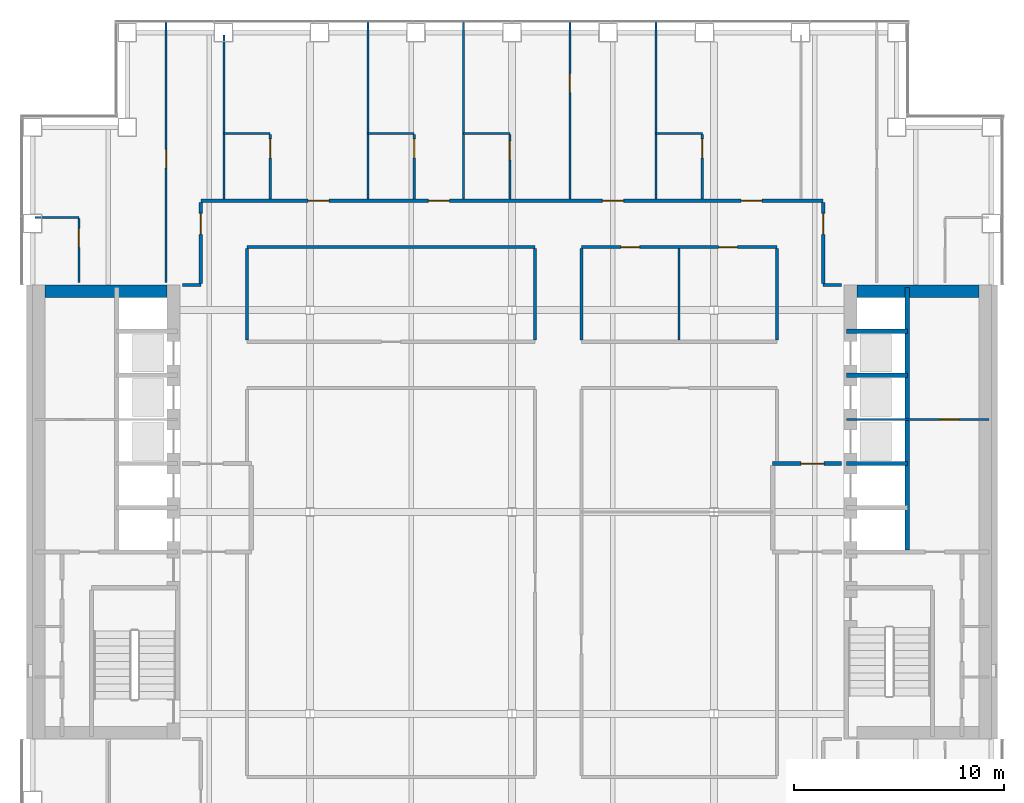
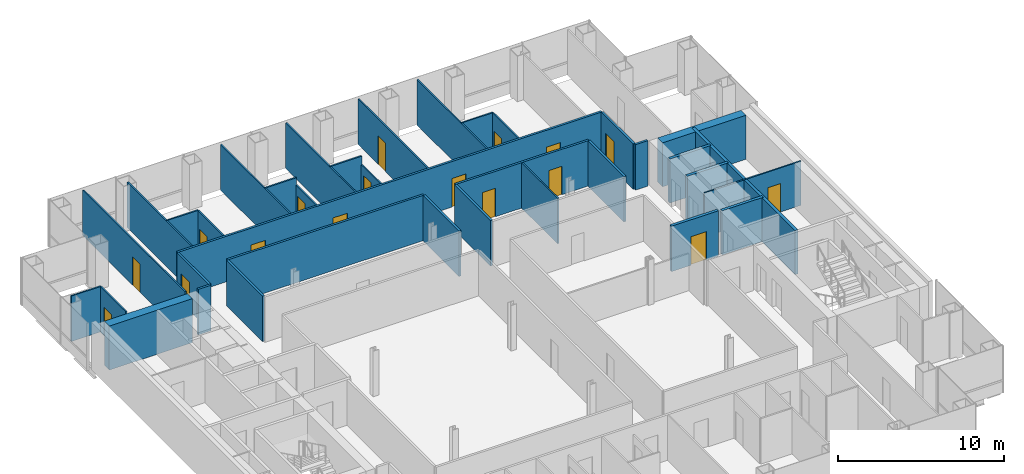
# One storey, part 13 of 16: 37 walls, 17 doors, 17 openings.
"""IFC4 building model written with IfcOpenShell, lengths in metres."""

from ifc_helpers import new_model, si_unit, direction, frame, frame_2d, origin, place, context, subcontext, project, spatial, rectangle, extrude, material, layer, layer_set, type_object, element, fill, save


model = new_model("IFC4")

# Units and contexts
model_context = context("Model", 3, precision=1e-05, world=origin(), true_north=direction((0.0, 1.0)))
body_context = subcontext(model_context, "Body", "Model", "MODEL_VIEW")
ifc_project = project(units=[si_unit("LENGTHUNIT", "METRE"), si_unit("AREAUNIT", "SQUARE_METRE"), si_unit("VOLUMEUNIT", "CUBIC_METRE"), si_unit("PLANEANGLEUNIT", "RADIAN"), si_unit("MASSUNIT", "GRAM", prefix="KILO")], contexts=[model_context])

# Site, building, storey
site_placement = place(None, origin())
site = spatial("IfcSite", under=ifc_project, at=site_placement, CompositionType="ELEMENT")
building_placement = place(site_placement, origin())
building = spatial("IfcBuilding", under=site, at=building_placement, Name="Cobrizo Arcos Hotel Tower", CompositionType="ELEMENT")
storey_placement = place(building_placement, frame((0.0, 0.0, 92.5)))
storey = spatial("IfcBuildingStorey", under=building, at=storey_placement, Name="L22", CompositionType="ELEMENT", Elevation=92.5)

# Walls
ifc_material_1 = material(Name="Gypsum board partition")
ifc_layer_1 = layer(ifc_material_1, 0.14990234375)
ifc_layer_set_1 = layer_set([ifc_layer_1], Name="Corridor wall EI 60 150")
wall_type_1 = type_object("IfcWallType", Name="Corridor wall EI 60 150", PredefinedType="PARTITIONING", material=ifc_layer_set_1)
for number, where, z_axis, x_axis, name in (
    (1, (-15.679931640625, 10.800048828125, 0.0), (0.0, 0.0, 1.0), (1.0, 0.0, 0.0), "Partition 041"),
    (2, (14.800048828125, 10.800048828125, 0.0), (0.0, 0.0, 1.0), (1.0, 0.0, 0.0), "Partition 042"),
):
    element("IfcWall", number, at=place(storey_placement, frame(where, z_axis=z_axis, x_axis=x_axis)), inside=storey, type_object=wall_type_1, Name=name, PredefinedType="PARTITIONING", context=body_context, shape_type="SweptSolid", body=[
        extrude(rectangle(XDim=0.8798828125, YDim=0.14990234375, at=frame_2d((0.43994140625, 0.0))), origin(), (0.0, 0.0, 1.0), 3.35009765625),
    ])
wall_1_placement = place(storey_placement, frame((-12.60009765625, 12.60009765625, 0.0), z_axis=(0.0, 0.0, 1.0), x_axis=(1.0, 0.0, 0.0)))
element("IfcWall", 3, at=wall_1_placement, inside=storey, type_object=wall_type_1, Name="Partition 043", PredefinedType="PARTITIONING", context=body_context, shape_type="SweptSolid", body=[
    extrude(rectangle(XDim=13.7001953125, YDim=0.14990234375, at=frame_2d((6.85009765625, 0.0))), origin(), (0.0, 0.0, 1.0), 3.35009765625),
])

# Wall, openings, doors
wall_2_placement = place(storey_placement, frame((3.300048828125, 12.60009765625, 0.0), z_axis=(0.0, 0.0, 1.0), x_axis=(1.0, 0.0, 0.0)))
wall_2 = element("IfcWall", 4, at=wall_2_placement, inside=storey, type_object=wall_type_1, Name="Partition 044", PredefinedType="PARTITIONING", context=body_context, shape_type="SweptSolid", body=[
    extrude(rectangle(XDim=9.300048828125, YDim=0.14990234375, at=frame_2d((4.64990234375, 0.0))), origin(), (0.0, 0.0, 1.0), 3.35009765625),
])
opening_1_placement = place(wall_2_placement, frame((1.875, 0.0, 0.0)))
opening_1 = element("IfcOpeningElement", 5, at=opening_1_placement, cuts=wall_2, Name="Opening ED-14", PredefinedType="OPENING", context=body_context, shape_type="SweptSolid", body=[
    extrude(rectangle(XDim=0.89990234375, YDim=2.10009765625, at=frame_2d((0.449951171875, 1.050048828125))), frame((0.0, 0.0869140625, 0.0), z_axis=(0.0, -1.0, 0.0), x_axis=(1.0, 0.0, 0.0)), (0.0, 0.0, 1.0), 0.173828125),
])
opening_2_placement = place(wall_2_placement, frame((6.52490234375, 0.0, 0.0)))
opening_2 = element("IfcOpeningElement", 6, at=opening_2_placement, cuts=wall_2, Name="Opening ED-15", PredefinedType="OPENING", context=body_context, shape_type="SweptSolid", body=[
    extrude(rectangle(XDim=0.89990234375, YDim=2.10009765625, at=frame_2d((0.449951171875, 1.050048828125))), frame((0.0, 0.0869140625, 0.0), z_axis=(0.0, -1.0, 0.0), x_axis=(1.0, 0.0, 0.0)), (0.0, 0.0, 1.0), 0.173828125),
])
ifc_material_2 = material(Name="Timber door leaf", Category="wood")
door_type_1 = type_object("IfcDoorType", Name="En-suite door 900x2100", OperationType="SINGLE_SWING_LEFT", PredefinedType="DOOR", material=ifc_material_2)
door_1_placement = place(opening_1_placement, origin())
door_1 = element("IfcDoor", 7, at=door_1_placement, inside=storey, type_object=door_type_1, Name="Door ED-14", OperationType="SINGLE_SWING_LEFT", OverallHeight=2.10009765625, OverallWidth=0.89990234375, PredefinedType="DOOR", context=body_context, shape_type="SweptSolid", body=[
    extrude(rectangle(XDim=0.89990234375, YDim=2.10009765625, at=frame_2d((0.449951171875, 1.050048828125))), frame((0.0, 0.02490234375, 0.0), z_axis=(0.0, -1.0, 0.0), x_axis=(1.0, 0.0, 0.0)), (0.0, 0.0, 1.0), 0.050048828125),
])
fill(opening_1, door_1)
door_2_placement = place(opening_2_placement, origin())
door_2 = element("IfcDoor", 8, at=door_2_placement, inside=storey, type_object=door_type_1, Name="Door ED-15", OperationType="SINGLE_SWING_RIGHT", OverallHeight=2.10009765625, OverallWidth=0.89990234375, PredefinedType="DOOR", context=body_context, shape_type="SweptSolid", body=[
    extrude(rectangle(XDim=0.89990234375, YDim=2.10009765625, at=frame_2d((0.449951171875, 1.050048828125))), frame((0.0, 0.02490234375, 0.0), z_axis=(0.0, -1.0, 0.0), x_axis=(1.0, 0.0, 0.0)), (0.0, 0.0, 1.0), 0.050048828125),
])
fill(opening_2, door_2)

wall_3_placement = place(storey_placement, frame((-14.800048828125, 14.800048828125, 0.0), z_axis=(0.0, 0.0, 1.0), x_axis=(1.0, 0.0, 0.0)))
wall_3 = element("IfcWall", 9, at=wall_3_placement, inside=storey, type_object=wall_type_1, Name="Partition 047", PredefinedType="PARTITIONING", context=body_context, shape_type="SweptSolid", body=[
    extrude(rectangle(XDim=29.60009765625, YDim=0.14990234375, at=frame_2d((14.800048828125, 0.0))), origin(), (0.0, 0.0, 1.0), 3.35009765625),
])
opening_3_placement = place(wall_3_placement, frame((5.10693359375, 0.0, 0.0)))
opening_3 = element("IfcOpeningElement", 10, at=opening_3_placement, cuts=wall_3, Name="Opening GD-01", PredefinedType="OPENING", context=body_context, shape_type="SweptSolid", body=[
    extrude(rectangle(XDim=1.0, YDim=2.10009765625, at=frame_2d((0.5, 1.050048828125))), frame((0.0, 0.0869140625, 0.0), z_axis=(0.0, -1.0, 0.0), x_axis=(1.0, 0.0, 0.0)), (0.0, 0.0, 1.0), 0.173828125),
])
opening_4_placement = place(wall_3_placement, frame((10.825927734375, 0.0, 0.0)))
opening_4 = element("IfcOpeningElement", 11, at=opening_4_placement, cuts=wall_3, Name="Opening GD-02", PredefinedType="OPENING", context=body_context, shape_type="SweptSolid", body=[
    extrude(rectangle(XDim=1.0, YDim=2.10009765625, at=frame_2d((0.5, 1.050048828125))), frame((0.0, 0.0869140625, 0.0), z_axis=(0.0, -1.0, 0.0), x_axis=(1.0, 0.0, 0.0)), (0.0, 0.0, 1.0), 0.173828125),
])
opening_5_placement = place(wall_3_placement, frame((19.10400390625, 0.0, 0.0)))
opening_5 = element("IfcOpeningElement", 12, at=opening_5_placement, cuts=wall_3, Name="Opening GD-03", PredefinedType="OPENING", context=body_context, shape_type="SweptSolid", body=[
    extrude(rectangle(XDim=1.0, YDim=2.10009765625, at=frame_2d((0.5, 1.050048828125))), frame((0.0, 0.0869140625, 0.0), z_axis=(0.0, -1.0, 0.0), x_axis=(1.0, 0.0, 0.0)), (0.0, 0.0, 1.0), 0.173828125),
])
opening_6_placement = place(wall_3_placement, frame((25.694091796875, 0.0, 0.0)))
opening_6 = element("IfcOpeningElement", 13, at=opening_6_placement, cuts=wall_3, Name="Opening GD-04", PredefinedType="OPENING", context=body_context, shape_type="SweptSolid", body=[
    extrude(rectangle(XDim=1.0, YDim=2.10009765625, at=frame_2d((0.5, 1.050048828125))), frame((0.0, 0.0869140625, 0.0), z_axis=(0.0, -1.0, 0.0), x_axis=(1.0, 0.0, 0.0)), (0.0, 0.0, 1.0), 0.173828125),
])
door_type_2 = type_object("IfcDoorType", Name="Guest room door FD30S 1000x2100", OperationType="SINGLE_SWING_LEFT", PredefinedType="DOOR", material=ifc_material_2)
door_3_placement = place(opening_3_placement, origin())
door_3 = element("IfcDoor", 14, at=door_3_placement, inside=storey, type_object=door_type_2, Name="Door GD-01", OperationType="SINGLE_SWING_LEFT", OverallHeight=2.10009765625, OverallWidth=1.0, PredefinedType="DOOR", context=body_context, shape_type="SweptSolid", body=[
    extrude(rectangle(XDim=1.0, YDim=2.10009765625, at=frame_2d((0.5, 1.050048828125))), frame((0.0, 0.02490234375, 0.0), z_axis=(0.0, -1.0, 0.0), x_axis=(1.0, 0.0, 0.0)), (0.0, 0.0, 1.0), 0.050048828125),
])
fill(opening_3, door_3)
door_4_placement = place(opening_4_placement, origin())
door_4 = element("IfcDoor", 15, at=door_4_placement, inside=storey, type_object=door_type_2, Name="Door GD-02", OperationType="SINGLE_SWING_LEFT", OverallHeight=2.10009765625, OverallWidth=1.0, PredefinedType="DOOR", context=body_context, shape_type="SweptSolid", body=[
    extrude(rectangle(XDim=1.0, YDim=2.10009765625, at=frame_2d((0.5, 1.050048828125))), frame((0.0, 0.02490234375, 0.0), z_axis=(0.0, -1.0, 0.0), x_axis=(1.0, 0.0, 0.0)), (0.0, 0.0, 1.0), 0.050048828125),
])
fill(opening_4, door_4)
door_5_placement = place(opening_5_placement, origin())
door_5 = element("IfcDoor", 16, at=door_5_placement, inside=storey, type_object=door_type_2, Name="Door GD-03", OperationType="SINGLE_SWING_LEFT", OverallHeight=2.10009765625, OverallWidth=1.0, PredefinedType="DOOR", context=body_context, shape_type="SweptSolid", body=[
    extrude(rectangle(XDim=1.0, YDim=2.10009765625, at=frame_2d((0.5, 1.050048828125))), frame((0.0, 0.02490234375, 0.0), z_axis=(0.0, -1.0, 0.0), x_axis=(1.0, 0.0, 0.0)), (0.0, 0.0, 1.0), 0.050048828125),
])
fill(opening_5, door_5)
door_6_placement = place(opening_6_placement, origin())
door_6 = element("IfcDoor", 17, at=door_6_placement, inside=storey, type_object=door_type_2, Name="Door GD-04", OperationType="SINGLE_SWING_LEFT", OverallHeight=2.10009765625, OverallWidth=1.0, PredefinedType="DOOR", context=body_context, shape_type="SweptSolid", body=[
    extrude(rectangle(XDim=1.0, YDim=2.10009765625, at=frame_2d((0.5, 1.050048828125))), frame((0.0, 0.02490234375, 0.0), z_axis=(0.0, -1.0, 0.0), x_axis=(1.0, 0.0, 0.0)), (0.0, 0.0, 1.0), 0.050048828125),
])
fill(opening_6, door_6)

# Wall, opening, door
wall_4_placement = place(storey_placement, frame((-14.800048828125, 10.875, 0.0), z_axis=(0.0, 0.0, 1.0), x_axis=(0.0, 1.0, 0.0)))
wall_4 = element("IfcWall", 18, at=wall_4_placement, inside=storey, type_object=wall_type_1, Name="Partition 061", PredefinedType="PARTITIONING", context=body_context, shape_type="SweptSolid", body=[
    extrude(rectangle(XDim=3.85009765625, YDim=0.14990234375, at=frame_2d((1.925048828125, 0.0))), origin(), (0.0, 0.0, 1.0), 3.35009765625),
])
opening_7_placement = place(wall_4_placement, frame((2.324951171875, 0.0, 0.0)))
opening_7 = element("IfcOpeningElement", 19, at=opening_7_placement, cuts=wall_4, Name="Opening GD-11", PredefinedType="OPENING", context=body_context, shape_type="SweptSolid", body=[
    extrude(rectangle(XDim=1.0, YDim=2.10009765625, at=frame_2d((0.5, 1.050048828125))), frame((0.0, 0.0869140625, 0.0), z_axis=(0.0, -1.0, 0.0), x_axis=(1.0, 0.0, 0.0)), (0.0, 0.0, 1.0), 0.173828125),
])
door_7_placement = place(opening_7_placement, origin())
door_7 = element("IfcDoor", 20, at=door_7_placement, inside=storey, type_object=door_type_2, Name="Door GD-11", OperationType="SINGLE_SWING_LEFT", OverallHeight=2.10009765625, OverallWidth=1.0, PredefinedType="DOOR", context=body_context, shape_type="SweptSolid", body=[
    extrude(rectangle(XDim=1.0, YDim=2.10009765625, at=frame_2d((0.5, 1.050048828125))), frame((0.0, 0.02490234375, 0.0), z_axis=(0.0, -1.0, 0.0), x_axis=(1.0, 0.0, 0.0)), (0.0, 0.0, 1.0), 0.050048828125),
])
fill(opening_7, door_7)

# Walls
for number, where, z_axis, x_axis, name in (
    (21, (-12.60009765625, 8.175048828125, 0.0), (0.0, 0.0, 1.0), (0.0, 1.0, 0.0), "Partition 066"),
    (22, (1.10009765625, 8.175048828125, 0.0), (0.0, 0.0, 1.0), (0.0, 1.0, 0.0), "Partition 080"),
    (23, (3.300048828125, 8.175048828125, 0.0), (0.0, 0.0, 1.0), (0.0, 1.0, 0.0), "Partition 084"),
    (24, (12.60009765625, 8.175048828125, 0.0), (0.0, 0.0, 1.0), (0.0, 1.0, 0.0), "Partition 094"),
):
    element("IfcWall", number, at=place(storey_placement, frame(where, z_axis=z_axis, x_axis=x_axis)), inside=storey, type_object=wall_type_1, Name=name, PredefinedType="PARTITIONING", context=body_context, shape_type="SweptSolid", body=[
        extrude(rectangle(XDim=4.349853515625, YDim=0.14990234375, at=frame_2d((2.1748046875, 0.0))), origin(), (0.0, 0.0, 1.0), 3.35009765625),
    ])

# Wall, opening, door
wall_5_placement = place(storey_placement, frame((14.800048828125, 10.875, 0.0), z_axis=(0.0, 0.0, 1.0), x_axis=(0.0, 1.0, 0.0)))
wall_5 = element("IfcWall", 25, at=wall_5_placement, inside=storey, type_object=wall_type_1, Name="Partition 098", PredefinedType="PARTITIONING", context=body_context, shape_type="SweptSolid", body=[
    extrude(rectangle(XDim=3.85009765625, YDim=0.14990234375, at=frame_2d((1.925048828125, 0.0))), origin(), (0.0, 0.0, 1.0), 3.35009765625),
])
opening_8_placement = place(wall_5_placement, frame((2.324951171875, 0.0, 0.0)))
opening_8 = element("IfcOpeningElement", 26, at=opening_8_placement, cuts=wall_5, Name="Opening GD-13", PredefinedType="OPENING", context=body_context, shape_type="SweptSolid", body=[
    extrude(rectangle(XDim=1.0, YDim=2.10009765625, at=frame_2d((0.5, 1.050048828125))), frame((0.0, 0.0869140625, 0.0), z_axis=(0.0, -1.0, 0.0), x_axis=(1.0, 0.0, 0.0)), (0.0, 0.0, 1.0), 0.173828125),
])
door_8_placement = place(opening_8_placement, origin())
door_8 = element("IfcDoor", 27, at=door_8_placement, inside=storey, type_object=door_type_2, Name="Door GD-13", OperationType="SINGLE_SWING_LEFT", OverallHeight=2.10009765625, OverallWidth=1.0, PredefinedType="DOOR", context=body_context, shape_type="SweptSolid", body=[
    extrude(rectangle(XDim=1.0, YDim=2.10009765625, at=frame_2d((0.5, 1.050048828125))), frame((0.0, 0.02490234375, 0.0), z_axis=(0.0, -1.0, 0.0), x_axis=(1.0, 0.0, 0.0)), (0.0, 0.0, 1.0), 0.050048828125),
])
fill(opening_8, door_8)

ifc_layer_2 = layer(ifc_material_1, 0.10009765625)
ifc_layer_set_2 = layer_set([ifc_layer_2], Name="Partition EI 30 100")
wall_type_2 = type_object("IfcWallType", Name="Partition EI 30 100", PredefinedType="PARTITIONING", material=ifc_layer_set_2)
wall_6_placement = place(storey_placement, frame((15.919921875, 4.39990234375, 0.0), z_axis=(0.0, 0.0, 1.0), x_axis=(1.0, 0.0, 0.0)))
wall_6 = element("IfcWall", 28, at=wall_6_placement, inside=storey, type_object=wall_type_2, Name="Partition 032", PredefinedType="PARTITIONING", context=body_context, shape_type="SweptSolid", body=[
    extrude(rectangle(XDim=6.760009765625, YDim=0.10009765625, at=frame_2d((3.3798828125, 0.0))), origin(), (0.0, 0.0, 1.0), 3.25),
])
opening_9_placement = place(wall_6_placement, frame((4.429931640625, 0.0, 0.0)))
opening_9 = element("IfcOpeningElement", 29, at=opening_9_placement, cuts=wall_6, Name="Opening RD-10", PredefinedType="OPENING", context=body_context, shape_type="SweptSolid", body=[
    extrude(rectangle(XDim=0.89990234375, YDim=2.10009765625, at=frame_2d((0.449951171875, 1.050048828125))), frame((0.0, 0.06201171875, 0.0), z_axis=(0.0, -1.0, 0.0), x_axis=(1.0, 0.0, 0.0)), (0.0, 0.0, 1.0), 0.1240234375),
])
door_type_3 = type_object("IfcDoorType", Name="Room door FD30 900x2100", OperationType="SINGLE_SWING_LEFT", PredefinedType="DOOR", material=ifc_material_2)
door_9_placement = place(opening_9_placement, origin())
door_9 = element("IfcDoor", 30, at=door_9_placement, inside=storey, type_object=door_type_3, Name="Door RD-10", OperationType="SINGLE_SWING_LEFT", OverallHeight=2.10009765625, OverallWidth=0.89990234375, PredefinedType="DOOR", context=body_context, shape_type="SweptSolid", body=[
    extrude(rectangle(XDim=0.89990234375, YDim=2.10009765625, at=frame_2d((0.449951171875, 1.050048828125))), frame((0.0, 0.02490234375, 0.0), z_axis=(0.0, -1.0, 0.0), x_axis=(1.0, 0.0, 0.0)), (0.0, 0.0, 1.0), 0.050048828125),
])
fill(opening_9, door_9)

# Walls
wall_7_placement = place(storey_placement, frame((-22.679931640625, 14.0, 0.0), z_axis=(0.0, 0.0, 1.0), x_axis=(1.0, 0.0, 0.0)))
element("IfcWall", 31, at=wall_7_placement, inside=storey, type_object=wall_type_2, Name="Partition 045", PredefinedType="PARTITIONING", context=body_context, shape_type="SweptSolid", body=[
    extrude(rectangle(XDim=2.079833984375, YDim=0.10009765625, at=frame_2d((1.0400390625, 0.0))), origin(), (0.0, 0.0, 1.0), 3.35009765625),
])
wall_8_placement = place(storey_placement, frame((-13.699951171875, 18.0, 0.0), z_axis=(0.0, 0.0, 1.0), x_axis=(1.0, 0.0, 0.0)))
element("IfcWall", 32, at=wall_8_placement, inside=storey, type_object=wall_type_2, Name="Partition 048", PredefinedType="PARTITIONING", context=body_context, shape_type="SweptSolid", body=[
    extrude(rectangle(XDim=2.199951171875, YDim=0.10009765625, at=frame_2d((1.10009765625, 0.0))), origin(), (0.0, 0.0, 1.0), 3.35009765625),
])
wall_9_placement = place(storey_placement, frame((-6.85009765625, 18.0, 0.0), z_axis=(0.0, 0.0, 1.0), x_axis=(1.0, 0.0, 0.0)))
element("IfcWall", 33, at=wall_9_placement, inside=storey, type_object=wall_type_2, Name="Partition 049", PredefinedType="PARTITIONING", context=body_context, shape_type="SweptSolid", body=[
    extrude(rectangle(XDim=2.2001953125, YDim=0.10009765625, at=frame_2d((1.10009765625, 0.0))), origin(), (0.0, 0.0, 1.0), 3.35009765625),
])
for number, where, z_axis, x_axis, name in (
    (34, (-2.300048828125, 18.0, 0.0), (0.0, 0.0, 1.0), (1.0, 0.0, 0.0), "Partition 050"),
    (35, (6.85009765625, 18.0, 0.0), (0.0, 0.0, 1.0), (1.0, 0.0, 0.0), "Partition 051"),
):
    element("IfcWall", number, at=place(storey_placement, frame(where, z_axis=z_axis, x_axis=x_axis)), inside=storey, type_object=wall_type_2, Name=name, PredefinedType="PARTITIONING", context=body_context, shape_type="SweptSolid", body=[
        extrude(rectangle(XDim=2.199951171875, YDim=0.10009765625, at=frame_2d((1.10009765625, 0.0))), origin(), (0.0, 0.0, 1.0), 3.35009765625),
    ])

# Wall, opening, door
wall_10_placement = place(storey_placement, frame((-20.60009765625, 10.919921875, 0.0), z_axis=(0.0, 0.0, 1.0), x_axis=(0.0, 1.0, 0.0)))
wall_10 = element("IfcWall", 36, at=wall_10_placement, inside=storey, type_object=wall_type_2, Name="Partition 054", PredefinedType="PARTITIONING", context=body_context, shape_type="SweptSolid", body=[
    extrude(rectangle(XDim=3.030029296875, YDim=0.10009765625, at=frame_2d((1.51513671875, 0.0))), origin(), (0.0, 0.0, 1.0), 3.35009765625),
])
opening_10_placement = place(wall_10_placement, frame((1.669921875, 0.0, 0.0)))
opening_10 = element("IfcOpeningElement", 37, at=opening_10_placement, cuts=wall_10, Name="Opening ED-11", PredefinedType="OPENING", context=body_context, shape_type="SweptSolid", body=[
    extrude(rectangle(XDim=0.89990234375, YDim=2.10009765625, at=frame_2d((0.449951171875, 1.050048828125))), frame((0.0, 0.06201171875, 0.0), z_axis=(0.0, -1.0, 0.0), x_axis=(1.0, 0.0, 0.0)), (0.0, 0.0, 1.0), 0.1240234375),
])
door_10_placement = place(opening_10_placement, origin())
door_10 = element("IfcDoor", 38, at=door_10_placement, inside=storey, type_object=door_type_1, Name="Door ED-11", OperationType="SINGLE_SWING_LEFT", OverallHeight=2.10009765625, OverallWidth=0.89990234375, PredefinedType="DOOR", context=body_context, shape_type="SweptSolid", body=[
    extrude(rectangle(XDim=0.89990234375, YDim=2.10009765625, at=frame_2d((0.449951171875, 1.050048828125))), frame((0.0, 0.02490234375, 0.0), z_axis=(0.0, -1.0, 0.0), x_axis=(1.0, 0.0, 0.0)), (0.0, 0.0, 1.0), 0.050048828125),
])
fill(opening_10, door_10)

wall_11_placement = place(storey_placement, frame((-16.449951171875, 10.919921875, 0.0), z_axis=(0.0, 0.0, 1.0), x_axis=(0.0, 1.0, 0.0)))
wall_11 = element("IfcWall", 39, at=wall_11_placement, inside=storey, type_object=wall_type_2, Name="Partition 059", PredefinedType="PARTITIONING", context=body_context, shape_type="SweptSolid", body=[
    extrude(rectangle(XDim=12.360107421875, YDim=0.10009765625, at=frame_2d((6.18017578125, 0.0))), origin(), (0.0, 0.0, 1.0), 3.35009765625),
])
opening_11_placement = place(wall_11_placement, frame((5.429931640625, 0.0, 0.0)))
opening_11 = element("IfcOpeningElement", 40, at=opening_11_placement, cuts=wall_11, Name="Opening RD-13", PredefinedType="OPENING", context=body_context, shape_type="SweptSolid", body=[
    extrude(rectangle(XDim=0.89990234375, YDim=2.10009765625, at=frame_2d((0.449951171875, 1.050048828125))), frame((0.0, 0.06201171875, 0.0), z_axis=(0.0, -1.0, 0.0), x_axis=(1.0, 0.0, 0.0)), (0.0, 0.0, 1.0), 0.1240234375),
])
door_11_placement = place(opening_11_placement, origin())
door_11 = element("IfcDoor", 41, at=door_11_placement, inside=storey, type_object=door_type_3, Name="Door RD-13", OperationType="SINGLE_SWING_RIGHT", OverallHeight=2.10009765625, OverallWidth=0.89990234375, PredefinedType="DOOR", context=body_context, shape_type="SweptSolid", body=[
    extrude(rectangle(XDim=0.89990234375, YDim=2.10009765625, at=frame_2d((0.449951171875, 1.050048828125))), frame((0.0, 0.02490234375, 0.0), z_axis=(0.0, -1.0, 0.0), x_axis=(1.0, 0.0, 0.0)), (0.0, 0.0, 1.0), 0.050048828125),
])
fill(opening_11, door_11)

# Wall
wall_12_placement = place(storey_placement, frame((-13.699951171875, 14.875, 0.0), z_axis=(0.0, 0.0, 1.0), x_axis=(0.0, 1.0, 0.0)))
element("IfcWall", 42, at=wall_12_placement, inside=storey, type_object=wall_type_2, Name="Partition 063", PredefinedType="PARTITIONING", context=body_context, shape_type="SweptSolid", body=[
    extrude(rectangle(XDim=7.804931640625, YDim=0.10009765625, at=frame_2d((3.90234375, 0.0))), origin(), (0.0, 0.0, 1.0), 3.35009765625),
])

# Wall, opening, door
wall_13_placement = place(storey_placement, frame((-11.5, 14.875, 0.0), z_axis=(0.0, 0.0, 1.0), x_axis=(0.0, 1.0, 0.0)))
wall_13 = element("IfcWall", 43, at=wall_13_placement, inside=storey, type_object=wall_type_2, Name="Partition 068", PredefinedType="PARTITIONING", context=body_context, shape_type="SweptSolid", body=[
    extrude(rectangle(XDim=3.074951171875, YDim=0.10009765625, at=frame_2d((1.53759765625, 0.0))), origin(), (0.0, 0.0, 1.0), 3.35009765625),
])
opening_12_placement = place(wall_13_placement, frame((1.970947265625, 0.0, 0.0)))
opening_12 = element("IfcOpeningElement", 44, at=opening_12_placement, cuts=wall_13, Name="Opening ED-01", PredefinedType="OPENING", context=body_context, shape_type="SweptSolid", body=[
    extrude(rectangle(XDim=0.89990234375, YDim=2.10009765625, at=frame_2d((0.449951171875, 1.050048828125))), frame((0.0, 0.06201171875, 0.0), z_axis=(0.0, -1.0, 0.0), x_axis=(1.0, 0.0, 0.0)), (0.0, 0.0, 1.0), 0.1240234375),
])
door_12_placement = place(opening_12_placement, origin())
door_12 = element("IfcDoor", 45, at=door_12_placement, inside=storey, type_object=door_type_1, Name="Door ED-01", OperationType="SINGLE_SWING_RIGHT", OverallHeight=2.10009765625, OverallWidth=0.89990234375, PredefinedType="DOOR", context=body_context, shape_type="SweptSolid", body=[
    extrude(rectangle(XDim=0.89990234375, YDim=2.10009765625, at=frame_2d((0.449951171875, 1.050048828125))), frame((0.0, 0.02490234375, 0.0), z_axis=(0.0, -1.0, 0.0), x_axis=(1.0, 0.0, 0.0)), (0.0, 0.0, 1.0), 0.050048828125),
])
fill(opening_12, door_12)

# Wall
wall_14_placement = place(storey_placement, frame((-6.85009765625, 14.875, 0.0), z_axis=(0.0, 0.0, 1.0), x_axis=(0.0, 1.0, 0.0)))
element("IfcWall", 46, at=wall_14_placement, inside=storey, type_object=wall_type_2, Name="Partition 072", PredefinedType="PARTITIONING", context=body_context, shape_type="SweptSolid", body=[
    extrude(rectangle(XDim=8.405029296875, YDim=0.10009765625, at=frame_2d((4.20263671875, 0.0))), origin(), (0.0, 0.0, 1.0), 3.35009765625),
])

# Wall, opening, door
wall_15_placement = place(storey_placement, frame((-4.64990234375, 14.875, 0.0), z_axis=(0.0, 0.0, 1.0), x_axis=(0.0, 1.0, 0.0)))
wall_15 = element("IfcWall", 47, at=wall_15_placement, inside=storey, type_object=wall_type_2, Name="Partition 074", PredefinedType="PARTITIONING", context=body_context, shape_type="SweptSolid", body=[
    extrude(rectangle(XDim=3.074951171875, YDim=0.10009765625, at=frame_2d((1.53759765625, 0.0))), origin(), (0.0, 0.0, 1.0), 2.81689453125),
])
opening_13_placement = place(wall_15_placement, frame((1.970947265625, 0.0, 0.0)))
opening_13 = element("IfcOpeningElement", 48, at=opening_13_placement, cuts=wall_15, Name="Opening ED-02", PredefinedType="OPENING", context=body_context, shape_type="SweptSolid", body=[
    extrude(rectangle(XDim=0.89990234375, YDim=2.10009765625, at=frame_2d((0.449951171875, 1.050048828125))), frame((0.0, 0.06201171875, 0.0), z_axis=(0.0, -1.0, 0.0), x_axis=(1.0, 0.0, 0.0)), (0.0, 0.0, 1.0), 0.1240234375),
])
door_13_placement = place(opening_13_placement, origin())
door_13 = element("IfcDoor", 49, at=door_13_placement, inside=storey, type_object=door_type_1, Name="Door ED-02", OperationType="SINGLE_SWING_RIGHT", OverallHeight=2.10009765625, OverallWidth=0.89990234375, PredefinedType="DOOR", context=body_context, shape_type="SweptSolid", body=[
    extrude(rectangle(XDim=0.89990234375, YDim=2.10009765625, at=frame_2d((0.449951171875, 1.050048828125))), frame((0.0, 0.02490234375, 0.0), z_axis=(0.0, -1.0, 0.0), x_axis=(1.0, 0.0, 0.0)), (0.0, 0.0, 1.0), 0.050048828125),
])
fill(opening_13, door_13)

# Wall
wall_16_placement = place(storey_placement, frame((-2.300048828125, 14.875, 0.0), z_axis=(0.0, 0.0, 1.0), x_axis=(0.0, 1.0, 0.0)))
element("IfcWall", 50, at=wall_16_placement, inside=storey, type_object=wall_type_2, Name="Partition 076", PredefinedType="PARTITIONING", context=body_context, shape_type="SweptSolid", body=[
    extrude(rectangle(XDim=8.405029296875, YDim=0.10009765625, at=frame_2d((4.20263671875, 0.0))), origin(), (0.0, 0.0, 1.0), 3.35009765625),
])

# Wall, opening, door
wall_17_placement = place(storey_placement, frame((-0.10009765625, 14.875, 0.0), z_axis=(0.0, 0.0, 1.0), x_axis=(0.0, 1.0, 0.0)))
wall_17 = element("IfcWall", 51, at=wall_17_placement, inside=storey, type_object=wall_type_2, Name="Partition 078", PredefinedType="PARTITIONING", context=body_context, shape_type="SweptSolid", body=[
    extrude(rectangle(XDim=3.074951171875, YDim=0.10009765625, at=frame_2d((1.53759765625, 0.0))), origin(), (0.0, 0.0, 1.0), 2.72802734375),
])
opening_14_placement = place(wall_17_placement, frame((1.875, 0.0, 0.0)))
opening_14 = element("IfcOpeningElement", 52, at=opening_14_placement, cuts=wall_17, Name="Opening ED-03", PredefinedType="OPENING", context=body_context, shape_type="SweptSolid", body=[
    extrude(rectangle(XDim=0.89990234375, YDim=2.10009765625, at=frame_2d((0.449951171875, 1.050048828125))), frame((0.0, 0.06201171875, 0.0), z_axis=(0.0, -1.0, 0.0), x_axis=(1.0, 0.0, 0.0)), (0.0, 0.0, 1.0), 0.1240234375),
])
door_14_placement = place(opening_14_placement, origin())
door_14 = element("IfcDoor", 53, at=door_14_placement, inside=storey, type_object=door_type_1, Name="Door ED-03", OperationType="SINGLE_SWING_LEFT", OverallHeight=2.10009765625, OverallWidth=0.89990234375, PredefinedType="DOOR", context=body_context, shape_type="SweptSolid", body=[
    extrude(rectangle(XDim=0.89990234375, YDim=2.10009765625, at=frame_2d((0.449951171875, 1.050048828125))), frame((0.0, 0.02490234375, 0.0), z_axis=(0.0, -1.0, 0.0), x_axis=(1.0, 0.0, 0.0)), (0.0, 0.0, 1.0), 0.050048828125),
])
fill(opening_14, door_14)

wall_18_placement = place(storey_placement, frame((2.75, 14.875, 0.0), z_axis=(0.0, 0.0, 1.0), x_axis=(0.0, 1.0, 0.0)))
wall_18 = element("IfcWall", 54, at=wall_18_placement, inside=storey, type_object=wall_type_2, Name="Partition 082", PredefinedType="PARTITIONING", context=body_context, shape_type="SweptSolid", body=[
    extrude(rectangle(XDim=8.405029296875, YDim=0.10009765625, at=frame_2d((4.20263671875, 0.0))), origin(), (0.0, 0.0, 1.0), 3.35009765625),
])
opening_15_placement = place(wall_18_placement, frame((5.074951171875, 0.0, 0.0)))
opening_15 = element("IfcOpeningElement", 55, at=opening_15_placement, cuts=wall_18, Name="Opening RD-11", PredefinedType="OPENING", context=body_context, shape_type="SweptSolid", body=[
    extrude(rectangle(XDim=0.89990234375, YDim=2.10009765625, at=frame_2d((0.449951171875, 1.050048828125))), frame((0.0, 0.06201171875, 0.0), z_axis=(0.0, -1.0, 0.0), x_axis=(1.0, 0.0, 0.0)), (0.0, 0.0, 1.0), 0.1240234375),
])
door_15_placement = place(opening_15_placement, origin())
door_15 = element("IfcDoor", 56, at=door_15_placement, inside=storey, type_object=door_type_3, Name="Door RD-11", OperationType="SINGLE_SWING_RIGHT", OverallHeight=2.10009765625, OverallWidth=0.89990234375, PredefinedType="DOOR", context=body_context, shape_type="SweptSolid", body=[
    extrude(rectangle(XDim=0.89990234375, YDim=2.10009765625, at=frame_2d((0.449951171875, 1.050048828125))), frame((0.0, 0.02490234375, 0.0), z_axis=(0.0, -1.0, 0.0), x_axis=(1.0, 0.0, 0.0)), (0.0, 0.0, 1.0), 0.050048828125),
])
fill(opening_15, door_15)

# Walls
wall_19_placement = place(storey_placement, frame((6.85009765625, 14.875, 0.0), z_axis=(0.0, 0.0, 1.0), x_axis=(0.0, 1.0, 0.0)))
element("IfcWall", 57, at=wall_19_placement, inside=storey, type_object=wall_type_2, Name="Partition 085", PredefinedType="PARTITIONING", context=body_context, shape_type="SweptSolid", body=[
    extrude(rectangle(XDim=8.405029296875, YDim=0.10009765625, at=frame_2d((4.20263671875, 0.0))), origin(), (0.0, 0.0, 1.0), 3.35009765625),
])
wall_20_placement = place(storey_placement, frame((7.949951171875, 8.175048828125, 0.0), z_axis=(0.0, 0.0, 1.0), x_axis=(0.0, 1.0, 0.0)))
element("IfcWall", 58, at=wall_20_placement, inside=storey, type_object=wall_type_2, Name="Partition 087", PredefinedType="PARTITIONING", context=body_context, shape_type="SweptSolid", body=[
    extrude(rectangle(XDim=4.349853515625, YDim=0.10009765625, at=frame_2d((2.1748046875, 0.0))), origin(), (0.0, 0.0, 1.0), 3.35009765625),
])

# Wall, opening, door
wall_21_placement = place(storey_placement, frame((9.050048828125, 14.875, 0.0), z_axis=(0.0, 0.0, 1.0), x_axis=(0.0, 1.0, 0.0)))
wall_21 = element("IfcWall", 59, at=wall_21_placement, inside=storey, type_object=wall_type_2, Name="Partition 088", PredefinedType="PARTITIONING", context=body_context, shape_type="SweptSolid", body=[
    extrude(rectangle(XDim=3.074951171875, YDim=0.10009765625, at=frame_2d((1.53759765625, 0.0))), origin(), (0.0, 0.0, 1.0), 3.35009765625),
])
opening_16_placement = place(wall_21_placement, frame((1.970947265625, 0.0, 0.0)))
opening_16 = element("IfcOpeningElement", 60, at=opening_16_placement, cuts=wall_21, Name="Opening ED-04", PredefinedType="OPENING", context=body_context, shape_type="SweptSolid", body=[
    extrude(rectangle(XDim=0.89990234375, YDim=2.10009765625, at=frame_2d((0.449951171875, 1.050048828125))), frame((0.0, 0.06201171875, 0.0), z_axis=(0.0, -1.0, 0.0), x_axis=(1.0, 0.0, 0.0)), (0.0, 0.0, 1.0), 0.1240234375),
])
door_16_placement = place(opening_16_placement, origin())
door_16 = element("IfcDoor", 61, at=door_16_placement, inside=storey, type_object=door_type_1, Name="Door ED-04", OperationType="SINGLE_SWING_RIGHT", OverallHeight=2.10009765625, OverallWidth=0.89990234375, PredefinedType="DOOR", context=body_context, shape_type="SweptSolid", body=[
    extrude(rectangle(XDim=0.89990234375, YDim=2.10009765625, at=frame_2d((0.449951171875, 1.050048828125))), frame((0.0, 0.02490234375, 0.0), z_axis=(0.0, -1.0, 0.0), x_axis=(1.0, 0.0, 0.0)), (0.0, 0.0, 1.0), 0.050048828125),
])
fill(opening_16, door_16)

# Walls
ifc_material_3 = material(Name="Concrete f'c 50 MPa", Category="concrete")
ifc_layer_3 = layer(ifc_material_3, 0.60009765625)
ifc_layer_set_3 = layer_set([ifc_layer_3], Name="RC core wall 600 f'c 50")
wall_type_3 = type_object("IfcWallType", Name="RC core wall 600 f'c 50", PredefinedType="SHEAR", material=ifc_layer_set_3)
for number, where, z_axis, x_axis, name in (
    (62, (16.39990234375, 10.5, 0.0), (0.0, 0.0, 1.0), (1.0, 0.0, 0.0), "Core wall CW2, east core, north end, L22"),
    (63, (-22.199951171875, 10.5, 0.0), (0.0, 0.0, 1.0), (1.0, 0.0, 0.0), "Core wall CW2, west core, north end, L22"),
):
    element("IfcWall", number, at=place(storey_placement, frame(where, z_axis=z_axis, x_axis=x_axis)), inside=storey, type_object=wall_type_3, Name=name, PredefinedType="SHEAR", context=body_context, shape_type="SweptSolid", body=[
        extrude(rectangle(XDim=5.800048828125, YDim=0.60009765625, at=frame_2d((2.89990234375, 0.0))), origin(), (0.0, 0.0, 1.0), 3.25),
    ])

# Wall, opening, door
ifc_layer_4 = layer(ifc_material_1, 0.199951171875)
ifc_layer_set_4 = layer_set([ifc_layer_4], Name="Shaft wall EI 120 200")
wall_type_4 = type_object("IfcWallType", Name="Shaft wall EI 120 200", PredefinedType="PARTITIONING", material=ifc_layer_set_4)
wall_22_placement = place(storey_placement, frame((12.39990234375, 2.300048828125, 0.0), z_axis=(0.0, 0.0, 1.0), x_axis=(1.0, 0.0, 0.0)))
wall_22 = element("IfcWall", 64, at=wall_22_placement, inside=storey, type_object=wall_type_4, Name="Partition 029", PredefinedType="PARTITIONING", context=body_context, shape_type="SweptSolid", body=[
    extrude(rectangle(XDim=3.280029296875, YDim=0.199951171875, at=frame_2d((1.64013671875, 0.0))), origin(), (0.0, 0.0, 1.0), 3.35009765625),
])
opening_17_placement = place(wall_22_placement, frame((1.340087890625, 0.0, 0.0)))
opening_17 = element("IfcOpeningElement", 65, at=opening_17_placement, cuts=wall_22, Name="Opening FD-06", PredefinedType="OPENING", context=body_context, shape_type="SweptSolid", body=[
    extrude(rectangle(XDim=1.10009765625, YDim=2.10009765625, at=frame_2d((0.550048828125, 1.050048828125))), frame((0.0, 0.112060546875, 0.0), z_axis=(0.0, -1.0, 0.0), x_axis=(1.0, 0.0, 0.0)), (0.0, 0.0, 1.0), 0.223876953125),
])
ifc_material_4 = material(Name="Steel door leaf", Category="steel")
door_type_4 = type_object("IfcDoorType", Name="Fire door FD60 1100x2100", OperationType="SINGLE_SWING_LEFT", PredefinedType="DOOR", material=ifc_material_4)
door_17_placement = place(opening_17_placement, origin())
door_17 = element("IfcDoor", 66, at=door_17_placement, inside=storey, type_object=door_type_4, Name="Door FD-06", OperationType="SINGLE_SWING_RIGHT", OverallHeight=2.10009765625, OverallWidth=1.10009765625, PredefinedType="DOOR", context=body_context, shape_type="SweptSolid", body=[
    extrude(rectangle(XDim=1.10009765625, YDim=2.10009765625, at=frame_2d((0.550048828125, 1.050048828125))), frame((0.0, 0.02490234375, 0.0), z_axis=(0.0, -1.0, 0.0), x_axis=(1.0, 0.0, 0.0)), (0.0, 0.0, 1.0), 0.050048828125),
])
fill(opening_17, door_17)

# Walls
for number, where, z_axis, x_axis, name in (
    (67, (15.919921875, 2.300048828125, 0.0), (0.0, 0.0, 1.0), (1.0, 0.0, 0.0), "Partition 030"),
    (68, (15.919921875, 6.5, 0.0), (0.0, 0.0, 1.0), (1.0, 0.0, 0.0), "Partition 036"),
    (69, (15.919921875, 8.60009765625, 0.0), (0.0, 0.0, 1.0), (1.0, 0.0, 0.0), "Partition 040"),
):
    element("IfcWall", number, at=place(storey_placement, frame(where, z_axis=z_axis, x_axis=x_axis)), inside=storey, type_object=wall_type_4, Name=name, PredefinedType="PARTITIONING", context=body_context, shape_type="SweptSolid", body=[
        extrude(rectangle(XDim=2.880126953125, YDim=0.199951171875, at=frame_2d((1.43994140625, 0.0))), origin(), (0.0, 0.0, 1.0), 3.25),
    ])
wall_23_placement = place(storey_placement, frame((18.800048828125, -1.800048828125, 0.0), z_axis=(0.0, 0.0, 1.0), x_axis=(0.0, 1.0, 0.0)))
element("IfcWall", 70, at=wall_23_placement, inside=storey, type_object=wall_type_4, Name="Partition 101", PredefinedType="PARTITIONING", context=body_context, shape_type="SweptSolid", body=[
    extrude(rectangle(XDim=6.150146484375, YDim=0.199951171875, at=frame_2d((3.0751953125, 0.0))), origin(), (0.0, 0.0, 1.0), 3.25),
])
wall_24_placement = place(storey_placement, frame((18.800048828125, 4.449951171875, 0.0), z_axis=(0.0, 0.0, 1.0), x_axis=(0.0, 1.0, 0.0)))
element("IfcWall", 71, at=wall_24_placement, inside=storey, type_object=wall_type_4, Name="Partition 102", PredefinedType="PARTITIONING", context=body_context, shape_type="SweptSolid", body=[
    extrude(rectangle(XDim=6.22998046875, YDim=0.199951171875, at=frame_2d((3.114990234375, 0.0))), origin(), (0.0, 0.0, 1.0), 3.25),
])

save(model, "model.ifc")
